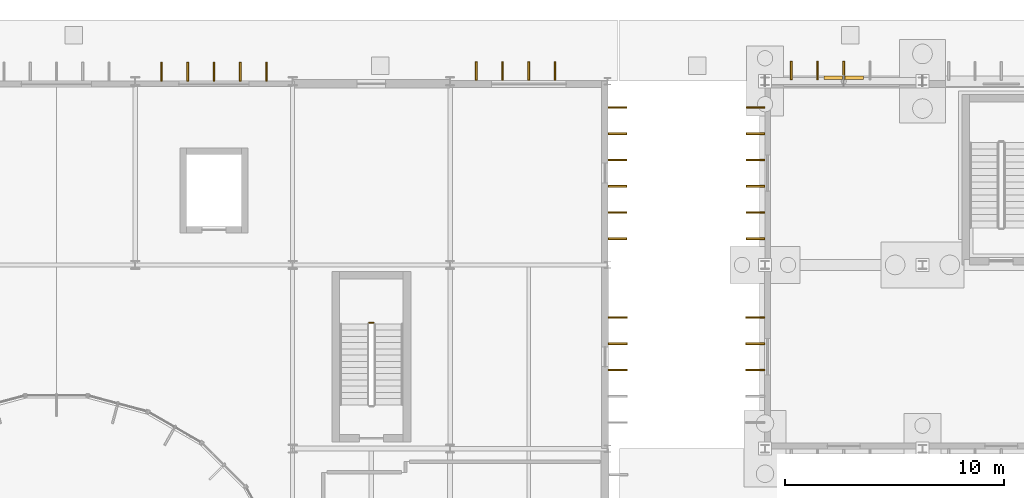
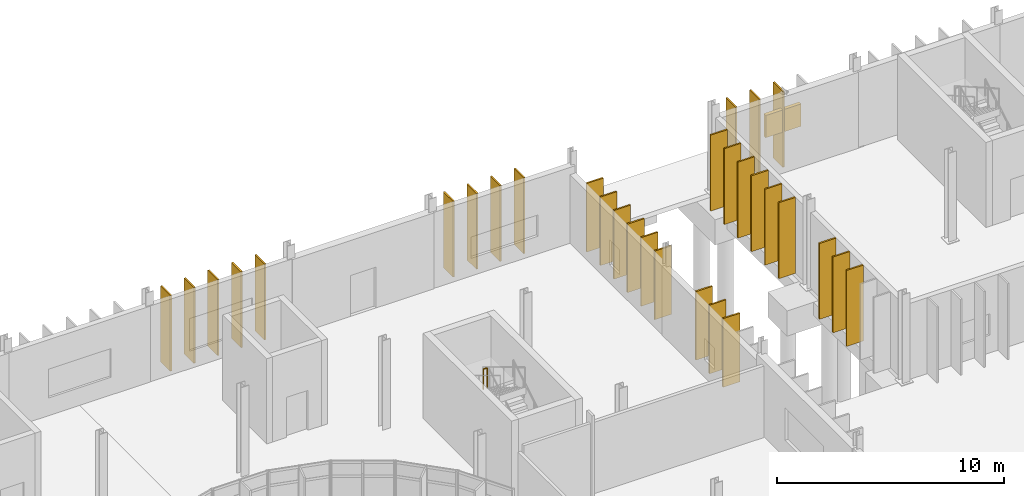
# One storey, part 111 of 118: 31 shading devices, 1 railing.
"""IFC4 building model written with IfcOpenShell, lengths in metres."""

from ifc_helpers import new_model, si_unit, direction, frame, origin, origin_2d, place, context, subcontext, project, spatial, rectangle, circle, extrude, material, type_object, element, save


model = new_model("IFC4")

# Units and contexts
model_context = context("Model", 3, precision=1e-05, world=origin(), true_north=direction((0.0, 1.0)))
body_context = subcontext(model_context, "Body", "Model", "MODEL_VIEW")
ifc_project = project(units=[si_unit("LENGTHUNIT", "METRE"), si_unit("AREAUNIT", "SQUARE_METRE"), si_unit("VOLUMEUNIT", "CUBIC_METRE"), si_unit("PLANEANGLEUNIT", "RADIAN"), si_unit("MASSUNIT", "GRAM", prefix="KILO")], contexts=[model_context])

# Site, building, storey
site_placement = place(None, origin())
site = spatial("IfcSite", under=ifc_project, at=site_placement, CompositionType="ELEMENT")
building_placement = place(site_placement, origin())
building = spatial("IfcBuilding", under=site, at=building_placement, Name="Qelthora Terrace Specialist Clinic", CompositionType="ELEMENT")
storey_placement = place(building_placement, origin())
storey = spatial("IfcBuildingStorey", under=building, at=storey_placement, Name="L00", CompositionType="ELEMENT", Elevation=0.0)

# Railing
ifc_material_1 = material(Name="Steel S355", Category="steel")
railing_type = type_object("IfcRailingType", Name="RAL-GD-1100-S355", PredefinedType="GUARDRAIL", material=ifc_material_1)
railing_placement = place(storey_placement, frame((39.699951171875, 98.155029296875, 2.39990234375)))
element("IfcRailing", 1, at=railing_placement, inside=storey, type_object=railing_type, Name="L00 ST-02 stair guard 2", PredefinedType="GUARDRAIL", context=body_context, shape_type="SweptSolid", body=[
    extrude(circle(Radius=0.02392578125, at=origin_2d()), frame((0.0, 0.0, 1.076171875), z_axis=(-1.0, 0.0, 0.0), x_axis=(0.0, -1.0, 0.0)), (0.0, 0.0, 1.0), 0.199951171875),
    extrude(circle(Radius=0.02099609375, at=origin_2d()), origin(), (0.0, 0.0, 1.0), 1.052001953125),
    extrude(circle(Radius=0.02099609375, at=origin_2d()), frame((-0.199951171875, 0.0, 0.0)), (0.0, 0.0, 1.0), 1.052001953125),
])

# Shading devices
ifc_material_2 = material(Name="Glulam timber GL28h", Category="wood")
shading_device_type_1 = type_object("IfcShadingDeviceType", Name="SHD-FIN-850", PredefinedType="USERDEFINED", material=ifc_material_2)
for number, where, z_axis, x_axis, name in (
    (2, (57.155029296875, 96.0, 0.0), (0.0, 0.0, 1.0), (-1.0, 0.0, 0.0), "Exterior solar shading fin FIN-0262"),
    (3, (57.155029296875, 97.199951171875, 0.0), (0.0, 0.0, 1.0), (-1.0, 0.0, 0.0), "Exterior solar shading fin FIN-0263"),
    (4, (57.155029296875, 98.39990234375, 0.0), (0.0, 0.0, 1.0), (-1.0, 0.0, 0.0), "Exterior solar shading fin FIN-0264"),
    (5, (57.1650390625, 102.0, 0.0), (0.0, 0.0, 1.0), (-1.0, 0.0, 0.0), "Exterior solar shading fin FIN-0265"),
    (6, (57.1650390625, 103.199951171875, 0.0), (0.0, 0.0, 1.0), (-1.0, 0.0, 0.0), "Exterior solar shading fin FIN-0266"),
    (7, (57.1650390625, 104.39990234375, 0.0), (0.0, 0.0, 1.0), (-1.0, 0.0, 0.0), "Exterior solar shading fin FIN-0267"),
    (8, (57.1650390625, 105.60009765625, 0.0), (0.0, 0.0, 1.0), (-1.0, 0.0, 0.0), "Exterior solar shading fin FIN-0268"),
    (9, (57.1650390625, 106.800048828125, 0.0), (0.0, 0.0, 1.0), (-1.0, 0.0, 0.0), "Exterior solar shading fin FIN-0269"),
    (10, (57.1650390625, 108.0, 0.0), (0.0, 0.0, 1.0), (-1.0, 0.0, 0.0), "Exterior solar shading fin FIN-0270"),
    (11, (58.800048828125, 109.695068359375, 0.0), (0.0, 0.0, 1.0), (0.0, 1.0, 0.0), "Exterior solar shading fin FIN-0271"),
    (12, (60.0, 109.695068359375, 0.0), (0.0, 0.0, 1.0), (0.0, 1.0, 0.0), "Exterior solar shading fin FIN-0272"),
    (13, (61.199951171875, 109.695068359375, 0.0), (0.0, 0.0, 1.0), (0.0, 1.0, 0.0), "Exterior solar shading fin FIN-0273"),
    (14, (30.0, 109.635009765625, 0.0), (0.0, 0.0, 1.0), (0.0, 1.0, 0.0), "Exterior solar shading fin FIN-0455"),
    (15, (31.199951171875, 109.635009765625, 0.0), (0.0, 0.0, 1.0), (0.0, 1.0, 0.0), "Exterior solar shading fin FIN-0456"),
    (16, (32.39990234375, 109.635009765625, 0.0), (0.0, 0.0, 1.0), (0.0, 1.0, 0.0), "Exterior solar shading fin FIN-0457"),
    (17, (33.60009765625, 109.635009765625, 0.0), (0.0, 0.0, 1.0), (0.0, 1.0, 0.0), "Exterior solar shading fin FIN-0458"),
    (18, (34.800048828125, 109.635009765625, 0.0), (0.0, 0.0, 1.0), (0.0, 1.0, 0.0), "Exterior solar shading fin FIN-0459"),
    (19, (44.39990234375, 109.6650390625, 0.0), (0.0, 0.0, 1.0), (0.0, 1.0, 0.0), "Exterior solar shading fin FIN-0460"),
    (20, (45.60009765625, 109.6650390625, 0.0), (0.0, 0.0, 1.0), (0.0, 1.0, 0.0), "Exterior solar shading fin FIN-0461"),
    (21, (46.800048828125, 109.6650390625, 0.0), (0.0, 0.0, 1.0), (0.0, 1.0, 0.0), "Exterior solar shading fin FIN-0462"),
    (22, (48.0, 109.6650390625, 0.0), (0.0, 0.0, 1.0), (0.0, 1.0, 0.0), "Exterior solar shading fin FIN-0463"),
):
    element("IfcShadingDevice", number, at=place(storey_placement, frame(where, z_axis=z_axis, x_axis=x_axis)), inside=storey, type_object=shading_device_type_1, Name=name, ObjectType="FIN", PredefinedType="USERDEFINED", context=body_context, shape_type="SweptSolid", body=[
        extrude(rectangle(XDim=0.85009765625, YDim=0.080078125, at=origin_2d()), origin(), (0.0, 0.0, 1.0), 4.08203125),
    ])
for number, where, z_axis, x_axis, name in (
    (23, (50.864990234375, 96.0, 0.0), (0.0, 0.0, 1.0), (1.0, 0.0, 0.0), "Exterior solar shading fin FIN-0483"),
    (24, (50.864990234375, 97.199951171875, 0.0), (0.0, 0.0, 1.0), (1.0, 0.0, 0.0), "Exterior solar shading fin FIN-0484"),
    (25, (50.864990234375, 98.39990234375, 0.0), (0.0, 0.0, 1.0), (1.0, 0.0, 0.0), "Exterior solar shading fin FIN-0485"),
    (26, (50.85498046875, 102.0, 0.0), (0.0, 0.0, 1.0), (1.0, 0.0, 0.0), "Exterior solar shading fin FIN-0486"),
    (27, (50.85498046875, 103.199951171875, 0.0), (0.0, 0.0, 1.0), (1.0, 0.0, 0.0), "Exterior solar shading fin FIN-0487"),
    (28, (50.85498046875, 104.39990234375, 0.0), (0.0, 0.0, 1.0), (1.0, 0.0, 0.0), "Exterior solar shading fin FIN-0488"),
    (29, (50.85498046875, 105.60009765625, 0.0), (0.0, 0.0, 1.0), (1.0, 0.0, 0.0), "Exterior solar shading fin FIN-0489"),
    (30, (50.85498046875, 106.800048828125, 0.0), (0.0, 0.0, 1.0), (1.0, 0.0, 0.0), "Exterior solar shading fin FIN-0490"),
    (31, (50.85498046875, 108.0, 0.0), (0.0, 0.0, 1.0), (1.0, 0.0, 0.0), "Exterior solar shading fin FIN-0491"),
):
    element("IfcShadingDevice", number, at=place(storey_placement, frame(where, z_axis=z_axis, x_axis=x_axis)), inside=storey, type_object=shading_device_type_1, Name=name, ObjectType="FIN", PredefinedType="USERDEFINED", context=body_context, shape_type="SweptSolid", body=[
        extrude(rectangle(XDim=0.85009765625, YDim=0.080078125, at=origin_2d()), origin(), (0.0, 0.0, 1.0), 3.69091796875),
    ])
ifc_material_3 = material(Name="Aluminium anodized bronze", Category="aluminium")
shading_device_type_2 = type_object("IfcShadingDeviceType", Name="SHD-LOUVRE-1800", PredefinedType="USERDEFINED", material=ifc_material_3)
shading_device_placement = place(storey_placement, frame((61.199951171875, 109.360107421875, 1.89990234375), z_axis=(0.0, 0.0, 1.0), x_axis=(1.0, 0.0, 0.0)))
element("IfcShadingDevice", 32, at=shading_device_placement, inside=storey, type_object=shading_device_type_2, Name="High-altitude HVAC louvre LVR-002", ObjectType="LOUVRE", PredefinedType="USERDEFINED", context=body_context, shape_type="SweptSolid", body=[
    extrude(rectangle(XDim=1.800048828125, YDim=0.179931640625, at=origin_2d()), origin(), (0.0, 0.0, 1.0), 1.199951171875),
])

save(model, "model.ifc")
